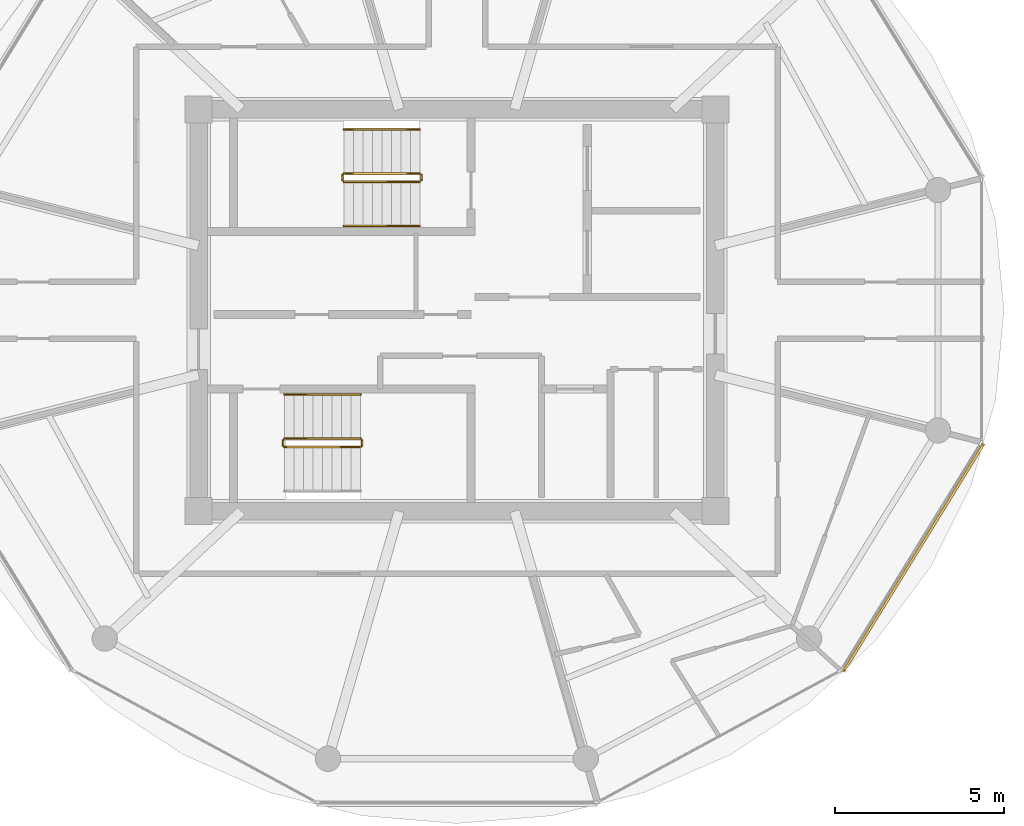
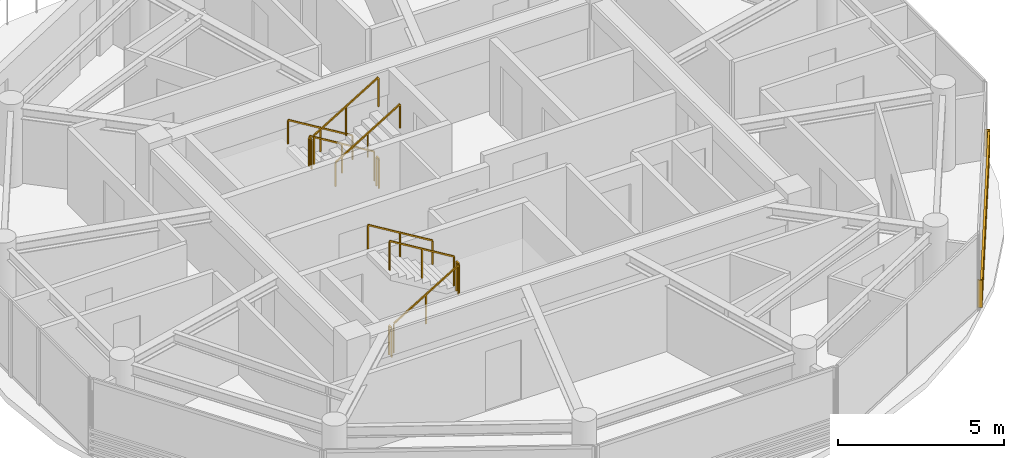
# One storey, part 18 of 19: 11 railings, 1 shading device.
"""IFC4 building model written with IfcOpenShell, lengths in metres."""

from ifc_helpers import new_model, si_unit, direction, frame, origin, origin_2d, place, context, subcontext, project, spatial, rectangle, extrude, source, transform, mapped, material, type_object, type_shapes, element, save


model = new_model("IFC4")

# Units and contexts
model_context = context("Model", 3, precision=1e-05, world=origin(), true_north=direction((0.0, 1.0)))
body_context = subcontext(model_context, "Body", "Model", "MODEL_VIEW")
ifc_project = project(units=[si_unit("LENGTHUNIT", "METRE"), si_unit("AREAUNIT", "SQUARE_METRE"), si_unit("VOLUMEUNIT", "CUBIC_METRE"), si_unit("PLANEANGLEUNIT", "RADIAN"), si_unit("MASSUNIT", "GRAM", prefix="KILO")], contexts=[model_context])

# Site, building, storey
site_placement = place(None, origin())
site = spatial("IfcSite", under=ifc_project, at=site_placement, CompositionType="ELEMENT")
building_placement = place(site_placement, origin())
building = spatial("IfcBuilding", under=site, at=building_placement, Name="Norrkilde Senior Care Towers", CompositionType="ELEMENT")
storey_placement = place(building_placement, frame((0.0, 0.0, 238.300048828125)))
storey = spatial("IfcBuildingStorey", under=building, at=storey_placement, Name="L74", CompositionType="ELEMENT", Elevation=238.300048828125)

# Railings
ifc_material_1 = material(Name="Stainless Steel", Category="steel")
railing_type_1 = type_object("IfcRailingType", Name="Stair and Terrace Guardrail 1100", PredefinedType="GUARDRAIL", material=ifc_material_1)
railing_1_placement = place(storey_placement, frame((26.89990234375, 4.050048828125, 0.16943359375)))
element("IfcRailing", 1, at=railing_1_placement, inside=storey, type_object=railing_type_1, Name="L74 ST-E1 stair guard 1", PredefinedType="GUARDRAIL", context=body_context, shape_type="SweptSolid", body=[
    extrude(rectangle(XDim=0.048095703125, YDim=0.048095703125, at=origin_2d()), frame((0.0, 0.0, 1.076171875), z_axis=(-0.855553338991, 0.0, 0.51771467445), x_axis=(0.0, -1.0, 0.0)), (0.0, 0.0, 1.0), 2.6181640625),
    extrude(rectangle(XDim=0.0419921875, YDim=0.0419921875, at=origin_2d()), origin(), (0.0, 0.0, 1.0), 1.050048828125),
    extrude(rectangle(XDim=0.0419921875, YDim=0.0419921875, at=origin_2d()), frame((-1.1201171875, 0.0, 0.677734375)), (0.0, 0.0, 1.0), 1.050048828125),
    extrude(rectangle(XDim=0.0419921875, YDim=0.0419921875, at=origin_2d()), frame((-2.239990234375, 0.0, 1.35546875)), (0.0, 0.0, 1.0), 1.050048828125),
])
railing_2_placement = place(storey_placement, frame((24.610107421875, 4.0, 1.52490234375)))
element("IfcRailing", 2, at=railing_2_placement, inside=storey, type_object=railing_type_1, Name="L74 ST-E1 stair guard 2", PredefinedType="GUARDRAIL", context=body_context, shape_type="SweptSolid", body=[
    extrude(rectangle(XDim=0.048095703125, YDim=0.048095703125, at=origin_2d()), frame((0.0, 0.0, 1.076171875), z_axis=(0.0, -1.0, 0.0), x_axis=(1.0, 0.0, 0.0)), (0.0, 0.0, 1.0), 0.14990234375),
    extrude(rectangle(XDim=0.0419921875, YDim=0.0419921875, at=origin_2d()), origin(), (0.0, 0.0, 1.0), 1.050048828125),
    extrude(rectangle(XDim=0.0419921875, YDim=0.0419921875, at=origin_2d()), frame((0.0, -0.14990234375, 0.0)), (0.0, 0.0, 1.0), 1.050048828125),
])
railing_3_placement = place(storey_placement, frame((24.659912109375, 3.800048828125, 1.6943359375)))
element("IfcRailing", 3, at=railing_3_placement, inside=storey, type_object=railing_type_1, Name="L74 ST-E1 stair guard 3", PredefinedType="GUARDRAIL", context=body_context, shape_type="SweptSolid", body=[
    extrude(rectangle(XDim=0.048095703125, YDim=0.048095703125, at=origin_2d()), frame((0.0, 0.0, 1.076171875), z_axis=(0.855512035549, 0.0, 0.517782924622), x_axis=(0.0, 1.0, 0.0)), (0.0, 0.0, 1.0), 2.618408203125),
    extrude(rectangle(XDim=0.0419921875, YDim=0.0419921875, at=origin_2d()), origin(), (0.0, 0.0, 1.0), 1.050048828125),
    extrude(rectangle(XDim=0.0419921875, YDim=0.0419921875, at=origin_2d()), frame((1.1201171875, 0.0, 0.677734375)), (0.0, 0.0, 1.0), 1.050048828125),
    extrude(rectangle(XDim=0.0419921875, YDim=0.0419921875, at=origin_2d()), frame((2.239990234375, 0.0, 1.355712890625)), (0.0, 0.0, 1.0), 1.050048828125),
])
railing_4_placement = place(storey_placement, frame((26.949951171875, 4.0, 0.0)))
element("IfcRailing", 4, at=railing_4_placement, inside=storey, type_object=railing_type_1, Name="L74 ST-E1 stair guard 4", PredefinedType="GUARDRAIL", context=body_context, shape_type="SweptSolid", body=[
    extrude(rectangle(XDim=0.048095703125, YDim=0.048095703125, at=origin_2d()), frame((0.0, 0.0, 1.076171875), z_axis=(0.0, -1.0, 0.0), x_axis=(1.0, 0.0, 0.0)), (0.0, 0.0, 1.0), 0.14990234375),
    extrude(rectangle(XDim=0.0419921875, YDim=0.0419921875, at=origin_2d()), origin(), (0.0, 0.0, 1.0), 1.050048828125),
    extrude(rectangle(XDim=0.0419921875, YDim=0.0419921875, at=origin_2d()), frame((0.0, -0.14990234375, 0.0)), (0.0, 0.0, 1.0), 1.050048828125),
])
railing_5_placement = place(storey_placement, frame((22.89990234375, -4.050048828125, 0.16943359375)))
element("IfcRailing", 5, at=railing_5_placement, inside=storey, type_object=railing_type_1, Name="L74 ST-E2 stair guard 1", PredefinedType="GUARDRAIL", context=body_context, shape_type="SweptSolid", body=[
    extrude(rectangle(XDim=0.048095703125, YDim=0.048095703125, at=origin_2d()), frame((0.0, 0.0, 1.076171875), z_axis=(0.855553338991, 0.0, 0.51771467445), x_axis=(0.0, 1.0, 0.0)), (0.0, 0.0, 1.0), 2.6181640625),
    extrude(rectangle(XDim=0.0419921875, YDim=0.0419921875, at=origin_2d()), origin(), (0.0, 0.0, 1.0), 1.050048828125),
    extrude(rectangle(XDim=0.0419921875, YDim=0.0419921875, at=origin_2d()), frame((1.1201171875, 0.0, 0.677734375)), (0.0, 0.0, 1.0), 1.050048828125),
    extrude(rectangle(XDim=0.0419921875, YDim=0.0419921875, at=origin_2d()), frame((2.239990234375, 0.0, 1.35546875)), (0.0, 0.0, 1.0), 1.050048828125),
])
railing_6_placement = place(storey_placement, frame((25.18994140625, -4.0, 1.52490234375)))
element("IfcRailing", 6, at=railing_6_placement, inside=storey, type_object=railing_type_1, Name="L74 ST-E2 stair guard 2", PredefinedType="GUARDRAIL", context=body_context, shape_type="SweptSolid", body=[
    extrude(rectangle(XDim=0.048095703125, YDim=0.048095703125, at=origin_2d()), frame((0.0, 0.0, 1.076171875), z_axis=(0.0, 1.0, 0.0), x_axis=(-1.0, 0.0, 0.0)), (0.0, 0.0, 1.0), 0.14990234375),
    extrude(rectangle(XDim=0.0419921875, YDim=0.0419921875, at=origin_2d()), origin(), (0.0, 0.0, 1.0), 1.050048828125),
    extrude(rectangle(XDim=0.0419921875, YDim=0.0419921875, at=origin_2d()), frame((0.0, 0.14990234375, 0.0)), (0.0, 0.0, 1.0), 1.050048828125),
])
railing_7_placement = place(storey_placement, frame((25.139892578125, -3.800048828125, 1.6943359375)))
element("IfcRailing", 7, at=railing_7_placement, inside=storey, type_object=railing_type_1, Name="L74 ST-E2 stair guard 3", PredefinedType="GUARDRAIL", context=body_context, shape_type="SweptSolid", body=[
    extrude(rectangle(XDim=0.048095703125, YDim=0.048095703125, at=origin_2d()), frame((0.0, 0.0, 1.076171875), z_axis=(-0.855512035549, 0.0, 0.517782924622), x_axis=(0.0, -1.0, 0.0)), (0.0, 0.0, 1.0), 2.618408203125),
    extrude(rectangle(XDim=0.0419921875, YDim=0.0419921875, at=origin_2d()), origin(), (0.0, 0.0, 1.0), 1.050048828125),
    extrude(rectangle(XDim=0.0419921875, YDim=0.0419921875, at=origin_2d()), frame((-1.1201171875, 0.0, 0.677734375)), (0.0, 0.0, 1.0), 1.050048828125),
    extrude(rectangle(XDim=0.0419921875, YDim=0.0419921875, at=origin_2d()), frame((-2.239990234375, 0.0, 1.355712890625)), (0.0, 0.0, 1.0), 1.050048828125),
])
railing_8_placement = place(storey_placement, frame((22.85009765625, -4.0, 0.0)))
element("IfcRailing", 8, at=railing_8_placement, inside=storey, type_object=railing_type_1, Name="L74 ST-E2 stair guard 4", PredefinedType="GUARDRAIL", context=body_context, shape_type="SweptSolid", body=[
    extrude(rectangle(XDim=0.048095703125, YDim=0.048095703125, at=origin_2d()), frame((0.0, 0.0, 1.076171875), z_axis=(0.0, 1.0, 0.0), x_axis=(-1.0, 0.0, 0.0)), (0.0, 0.0, 1.0), 0.14990234375),
    extrude(rectangle(XDim=0.0419921875, YDim=0.0419921875, at=origin_2d()), origin(), (0.0, 0.0, 1.0), 1.050048828125),
    extrude(rectangle(XDim=0.0419921875, YDim=0.0419921875, at=origin_2d()), frame((0.0, 0.14990234375, 0.0)), (0.0, 0.0, 1.0), 1.050048828125),
])
ifc_material_2 = material(Name="Nordic Ash Timber", Category="wood")
railing_type_2 = type_object("IfcRailingType", Name="Wall and Stair Handrail 900", PredefinedType="HANDRAIL", material=ifc_material_2)
railing_9_placement = place(storey_placement, frame((26.89990234375, 5.35009765625, 0.16943359375)))
element("IfcRailing", 9, at=railing_9_placement, inside=storey, type_object=railing_type_2, Name="L74 ST-E1 stair handrail 1", PredefinedType="HANDRAIL", context=body_context, shape_type="SweptSolid", body=[
    extrude(rectangle(XDim=0.048095703125, YDim=0.048095703125, at=origin_2d()), frame((0.0, 0.0, 0.8759765625), z_axis=(-0.855553338991, 0.0, 0.51771467445), x_axis=(0.0, -1.0, 0.0)), (0.0, 0.0, 1.0), 2.6181640625),
    extrude(rectangle(XDim=0.0419921875, YDim=0.0419921875, at=origin_2d()), origin(), (0.0, 0.0, 1.0), 0.849853515625),
    extrude(rectangle(XDim=0.0419921875, YDim=0.0419921875, at=origin_2d()), frame((-1.1201171875, 0.0, 0.677734375)), (0.0, 0.0, 1.0), 0.849853515625),
    extrude(rectangle(XDim=0.0419921875, YDim=0.0419921875, at=origin_2d()), frame((-2.239990234375, 0.0, 1.35546875)), (0.0, 0.0, 1.0), 0.849853515625),
])
railing_10_placement = place(storey_placement, frame((24.659912109375, 2.5, 1.6943359375)))
element("IfcRailing", 10, at=railing_10_placement, inside=storey, type_object=railing_type_2, Name="L74 ST-E1 stair handrail 2", PredefinedType="HANDRAIL", context=body_context, shape_type="SweptSolid", body=[
    extrude(rectangle(XDim=0.048095703125, YDim=0.048095703125, at=origin_2d()), frame((0.0, 0.0, 0.8759765625), z_axis=(0.855512035549, 0.0, 0.517782924622), x_axis=(0.0, 1.0, 0.0)), (0.0, 0.0, 1.0), 2.618408203125),
    extrude(rectangle(XDim=0.0419921875, YDim=0.0419921875, at=origin_2d()), origin(), (0.0, 0.0, 1.0), 0.849853515625),
    extrude(rectangle(XDim=0.0419921875, YDim=0.0419921875, at=origin_2d()), frame((1.1201171875, 0.0, 0.677734375)), (0.0, 0.0, 1.0), 0.849853515625),
    extrude(rectangle(XDim=0.0419921875, YDim=0.0419921875, at=origin_2d()), frame((2.239990234375, 0.0, 1.355712890625)), (0.0, 0.0, 1.0), 0.849853515625),
])
railing_11_placement = place(storey_placement, frame((25.139892578125, -2.5, 1.6943359375)))
element("IfcRailing", 11, at=railing_11_placement, inside=storey, type_object=railing_type_2, Name="L74 ST-E2 stair handrail 2", PredefinedType="HANDRAIL", context=body_context, shape_type="SweptSolid", body=[
    extrude(rectangle(XDim=0.048095703125, YDim=0.048095703125, at=origin_2d()), frame((0.0, 0.0, 0.8759765625), z_axis=(-0.855512035549, 0.0, 0.517782924622), x_axis=(0.0, -1.0, 0.0)), (0.0, 0.0, 1.0), 2.618408203125),
    extrude(rectangle(XDim=0.0419921875, YDim=0.0419921875, at=origin_2d()), origin(), (0.0, 0.0, 1.0), 0.849853515625),
    extrude(rectangle(XDim=0.0419921875, YDim=0.0419921875, at=origin_2d()), frame((-1.1201171875, 0.0, 0.677734375)), (0.0, 0.0, 1.0), 0.849853515625),
    extrude(rectangle(XDim=0.0419921875, YDim=0.0419921875, at=origin_2d()), frame((-2.239990234375, 0.0, 1.355712890625)), (0.0, 0.0, 1.0), 0.849853515625),
])

# Shading device
ifc_material_3 = material(Name="Architectural Terracotta", Category="masonry")
shading_device_type = type_object("IfcShadingDeviceType", Name="Horizontal Terracotta Baguette Rack", PredefinedType="USERDEFINED", material=ifc_material_3)
shared_shape = source(origin(), body_context, "Body", "SweptSolid", [
    extrude(rectangle(XDim=0.070068359375, YDim=0.110107421875, at=origin_2d()), frame((0.0, 0.090087890625, 0.125), z_axis=(1.0, 0.0, 0.0), x_axis=(0.0, 1.0, 0.0)), (0.0, 0.0, 1.0), 7.938232421875),
    extrude(rectangle(XDim=0.070068359375, YDim=0.110107421875, at=origin_2d()), frame((0.0, 0.090087890625, 0.375), z_axis=(1.0, 0.0, 0.0), x_axis=(0.0, 1.0, 0.0)), (0.0, 0.0, 1.0), 7.938232421875),
    extrude(rectangle(XDim=0.070068359375, YDim=0.110107421875, at=origin_2d()), frame((0.0, 0.090087890625, 0.625), z_axis=(1.0, 0.0, 0.0), x_axis=(0.0, 1.0, 0.0)), (0.0, 0.0, 1.0), 7.938232421875),
    extrude(rectangle(XDim=0.070068359375, YDim=0.110107421875, at=origin_2d()), frame((0.0, 0.090087890625, 0.875), z_axis=(1.0, 0.0, 0.0), x_axis=(0.0, 1.0, 0.0)), (0.0, 0.0, 1.0), 7.938232421875),
    extrude(rectangle(XDim=0.050048828125, YDim=0.1552734375, at=origin_2d()), frame((0.02490234375, 0.047607421875, 0.0)), (0.0, 0.0, 1.0), 1.0),
    extrude(rectangle(XDim=0.050048828125, YDim=0.1552734375, at=origin_2d()), frame((7.9130859375, 0.047607421875, 0.0)), (0.0, 0.0, 1.0), 1.0),
])
type_shapes(shading_device_type, [shared_shape])
shading_device_placement = place(storey_placement, frame((43.531982421875, -3.903076171875, 0.079833984375), z_axis=(0.0, 0.0, 1.0), x_axis=(-0.524250345994, -0.851576195602, 0.0)))
element("IfcShadingDevice", 12, at=shading_device_placement, inside=storey, type_object=shading_device_type, Name="L74 Drum E Terracotta Baguette Screen 10", ObjectType="BAGUETTE", PredefinedType="USERDEFINED", context=body_context, shape_type="MappedRepresentation", body=[
    mapped(shared_shape, transform((0.0, 0.0, 0.0), x_axis=(1.0, 0.0, 0.0), y_axis=(0.0, 1.0, 0.0), z_axis=(0.0, 0.0, 1.0), scale=1.0)),
])

save(model, "model.ifc")
